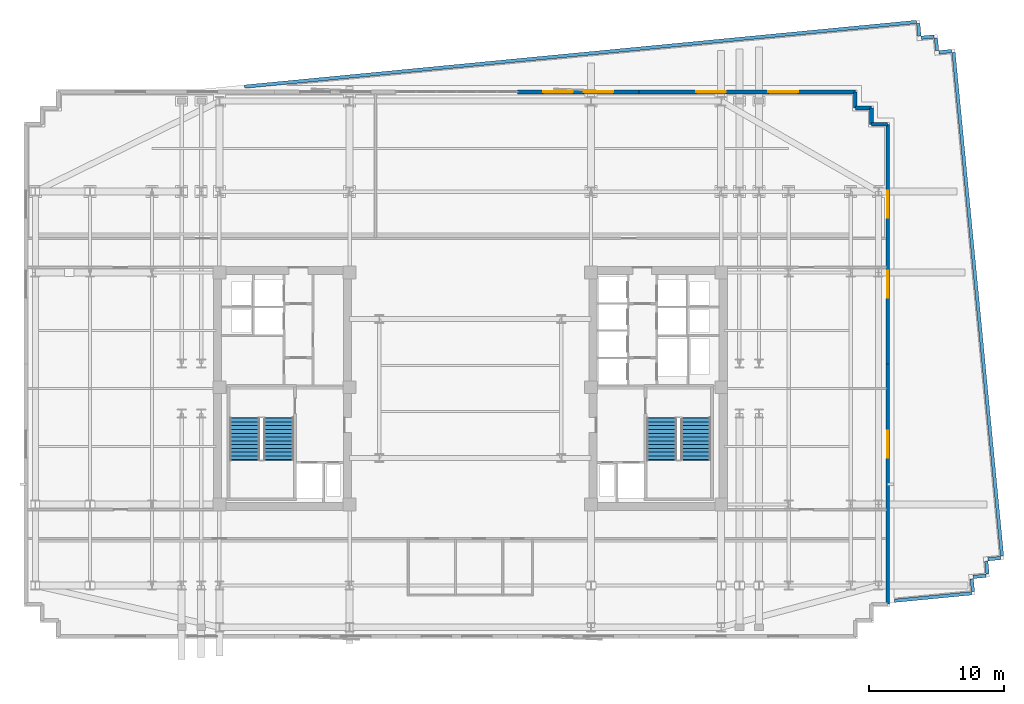
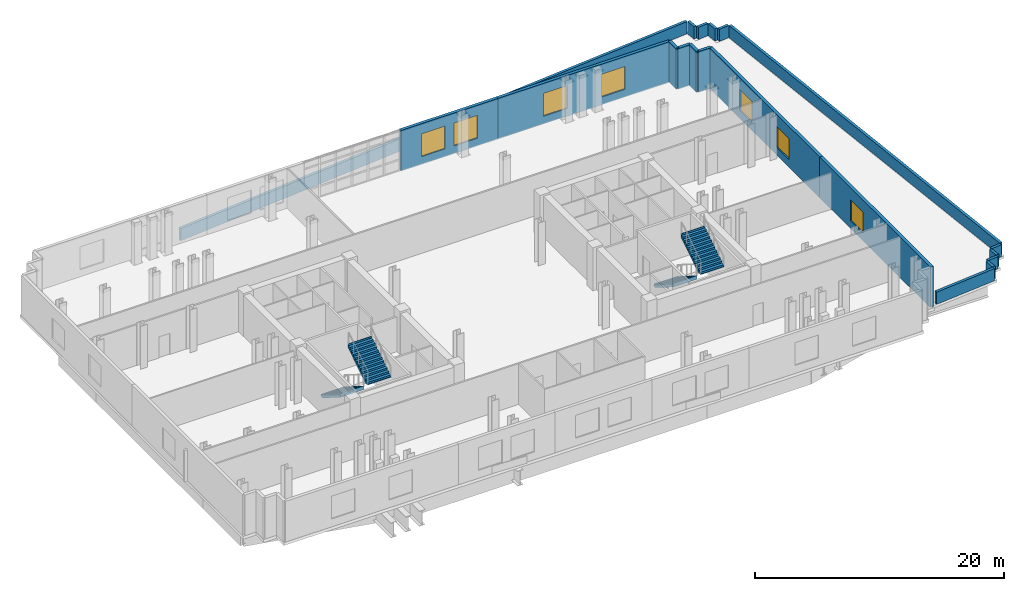
# One storey, part 9 of 14: 19 walls, 7 windows, 4 stair flights, 7 openings, 2 elements without a shape of their own.
"""IFC4 building model written with IfcOpenShell, lengths in metres."""

from ifc_helpers import new_model, si_unit, direction, frame, frame_2d, origin, place, context, subcontext, project, spatial, polyline, rectangle, outline, extrude, material, layer, layer_set, type_object, element, fill, aggregate, save


model = new_model("IFC4")

# Units and contexts
model_context = context("Model", 3, precision=1e-05, world=origin(), true_north=direction((0.0, 1.0)))
body_context = subcontext(model_context, "Body", "Model", "MODEL_VIEW")
ifc_project = project(units=[si_unit("LENGTHUNIT", "METRE"), si_unit("AREAUNIT", "SQUARE_METRE"), si_unit("VOLUMEUNIT", "CUBIC_METRE"), si_unit("PLANEANGLEUNIT", "RADIAN"), si_unit("MASSUNIT", "GRAM", prefix="KILO")], contexts=[model_context])

# Site, building, storey
site_placement = place(None, origin())
site = spatial("IfcSite", under=ifc_project, at=site_placement, CompositionType="ELEMENT")
building_placement = place(site_placement, origin())
building = spatial("IfcBuilding", under=site, at=building_placement, Name="Velakula Bourse", CompositionType="ELEMENT")
storey_placement = place(building_placement, frame((0.0, 0.0, 116.64990234375)))
storey = spatial("IfcBuildingStorey", under=building, at=storey_placement, Name="L31", CompositionType="ELEMENT", Elevation=116.64990234375)

# Wall, openings, windows
ifc_material_1 = material(Name="Red kilned clay facing brick masonry", Category="masonry")
ifc_layer_1 = layer(ifc_material_1, 0.280029296875, Name="Red kilned clay facing brick masonry", Category="masonry")
ifc_layer_set_1 = layer_set([ifc_layer_1], Name="Red kilned clay facing brick masonry")
wall_type_1 = type_object("IfcWallType", Name="WL-EXT-BRK-280", PredefinedType="STANDARD", material=ifc_layer_set_1)
wall_1_placement = place(storey_placement, frame((3.5, 21.989990234375, 0.0), z_axis=(0.0, 0.0, 1.0), x_axis=(1.0, 0.0, 0.0)))
wall_1 = element("IfcWall", 1, at=wall_1_placement, inside=storey, type_object=wall_type_1, Name="L31 N Brick Spandrel Wall B4", PredefinedType="STANDARD", context=body_context, shape_type="SweptSolid", body=[
    extrude(rectangle(XDim=9.0, YDim=0.280029296875, at=frame_2d((4.5, 0.0))), origin(), (0.0, 0.0, 1.0), 4.0),
])
opening_1_placement = place(wall_1_placement, frame((1.89990234375, 0.0, 0.760009765625)))
opening_1 = element("IfcOpeningElement", 2, at=opening_1_placement, cuts=wall_1, Name="Opening W-08", PredefinedType="OPENING", context=body_context, shape_type="SweptSolid", body=[
    extrude(rectangle(XDim=2.199951171875, YDim=2.25, at=frame_2d((1.10009765625, 1.125))), frame((0.0, 0.14990234375, 0.0), z_axis=(0.0, -1.0, 0.0), x_axis=(1.0, 0.0, 0.0)), (0.0, 0.0, 1.0), 0.300048828125),
])
opening_2_placement = place(wall_1_placement, frame((4.89990234375, 0.0, 0.760009765625)))
opening_2 = element("IfcOpeningElement", 3, at=opening_2_placement, cuts=wall_1, Name="Opening W-08", PredefinedType="OPENING", context=body_context, shape_type="SweptSolid", body=[
    extrude(rectangle(XDim=2.199951171875, YDim=2.25, at=frame_2d((1.10009765625, 1.125))), frame((0.0, 0.14990234375, 0.0), z_axis=(0.0, -1.0, 0.0), x_axis=(1.0, 0.0, 0.0)), (0.0, 0.0, 1.0), 0.300048828125),
])
ifc_material_2 = material(Name="Double-glazed solar-control Low-E glass", Category="glass")
window_type_1 = type_object("IfcWindowType", Name="WIN-SL-2200x2500", PartitioningType="DOUBLE_PANEL_VERTICAL", PredefinedType="WINDOW", material=ifc_material_2)
window_1_placement = place(opening_1_placement, origin())
window_1 = element("IfcWindow", 4, at=window_1_placement, inside=storey, type_object=window_type_1, Name="L31 Deep-Set Recessed Window 1", OverallHeight=2.25, OverallWidth=2.199951171875, PartitioningType="DOUBLE_PANEL_VERTICAL", PredefinedType="WINDOW", context=body_context, shape_type="SweptSolid", body=[
    extrude(rectangle(XDim=2.199951171875, YDim=2.25, at=frame_2d((1.10009765625, 1.125))), frame((0.0, 0.030029296875, 0.0), z_axis=(0.0, -1.0, 0.0), x_axis=(1.0, 0.0, 0.0)), (0.0, 0.0, 1.0), 0.06005859375),
])
fill(opening_1, window_1)
window_2_placement = place(opening_2_placement, origin())
window_2 = element("IfcWindow", 5, at=window_2_placement, inside=storey, type_object=window_type_1, Name="L31 Deep-Set Recessed Window 2", OverallHeight=2.25, OverallWidth=2.199951171875, PartitioningType="DOUBLE_PANEL_VERTICAL", PredefinedType="WINDOW", context=body_context, shape_type="SweptSolid", body=[
    extrude(rectangle(XDim=2.199951171875, YDim=2.25, at=frame_2d((1.10009765625, 1.125))), frame((0.0, 0.030029296875, 0.0), z_axis=(0.0, -1.0, 0.0), x_axis=(1.0, 0.0, 0.0)), (0.0, 0.0, 1.0), 0.06005859375),
])
fill(opening_2, window_2)

wall_2_placement = place(storey_placement, frame((12.5, 21.989990234375, 0.0), z_axis=(0.0, 0.0, 1.0), x_axis=(1.0, 0.0, 0.0)))
wall_2 = element("IfcWall", 6, at=wall_2_placement, inside=storey, type_object=wall_type_1, Name="L31 N Brick Spandrel Wall B5", PredefinedType="STANDARD", context=body_context, shape_type="SweptSolid", body=[
    extrude(rectangle(XDim=16.0400390625, YDim=0.280029296875, at=frame_2d((8.02001953125, 0.0))), origin(), (0.0, 0.0, 1.0), 4.0),
])
opening_3_placement = place(wall_2_placement, frame((4.24658203125, 0.0, 0.760009765625)))
opening_3 = element("IfcOpeningElement", 7, at=opening_3_placement, cuts=wall_2, Name="Opening W-08", PredefinedType="OPENING", context=body_context, shape_type="SweptSolid", body=[
    extrude(rectangle(XDim=2.199951171875, YDim=2.25, at=frame_2d((1.10009765625, 1.125))), frame((0.0, 0.14990234375, 0.0), z_axis=(0.0, -1.0, 0.0), x_axis=(1.0, 0.0, 0.0)), (0.0, 0.0, 1.0), 0.300048828125),
])
opening_4_placement = place(wall_2_placement, frame((9.59326171875, 0.0, 0.760009765625)))
opening_4 = element("IfcOpeningElement", 8, at=opening_4_placement, cuts=wall_2, Name="Opening W-08", PredefinedType="OPENING", context=body_context, shape_type="SweptSolid", body=[
    extrude(rectangle(XDim=2.199951171875, YDim=2.25, at=frame_2d((1.10009765625, 1.125))), frame((0.0, 0.14990234375, 0.0), z_axis=(0.0, -1.0, 0.0), x_axis=(1.0, 0.0, 0.0)), (0.0, 0.0, 1.0), 0.300048828125),
])
window_3_placement = place(opening_3_placement, origin())
window_3 = element("IfcWindow", 9, at=window_3_placement, inside=storey, type_object=window_type_1, Name="L31 Deep-Set Recessed Window 1", OverallHeight=2.25, OverallWidth=2.199951171875, PartitioningType="DOUBLE_PANEL_VERTICAL", PredefinedType="WINDOW", context=body_context, shape_type="SweptSolid", body=[
    extrude(rectangle(XDim=2.199951171875, YDim=2.25, at=frame_2d((1.10009765625, 1.125))), frame((0.0, 0.030029296875, 0.0), z_axis=(0.0, -1.0, 0.0), x_axis=(1.0, 0.0, 0.0)), (0.0, 0.0, 1.0), 0.06005859375),
])
fill(opening_3, window_3)
window_4_placement = place(opening_4_placement, origin())
window_4 = element("IfcWindow", 10, at=window_4_placement, inside=storey, type_object=window_type_1, Name="L31 Deep-Set Recessed Window 2", OverallHeight=2.25, OverallWidth=2.199951171875, PartitioningType="DOUBLE_PANEL_VERTICAL", PredefinedType="WINDOW", context=body_context, shape_type="SweptSolid", body=[
    extrude(rectangle(XDim=2.199951171875, YDim=2.25, at=frame_2d((1.10009765625, 1.125))), frame((0.0, 0.030029296875, 0.0), z_axis=(0.0, -1.0, 0.0), x_axis=(1.0, 0.0, 0.0)), (0.0, 0.0, 1.0), 0.06005859375),
])
fill(opening_4, window_4)

# Wall, opening, window
wall_3_placement = place(storey_placement, frame((30.93994140625, 1.800048828125, 0.0), z_axis=(0.0, 0.0, 1.0), x_axis=(0.0, -1.0, 0.0)))
wall_3 = element("IfcWall", 11, at=wall_3_placement, inside=storey, type_object=wall_type_1, Name="L31 E Brick End Wall W1", PredefinedType="STANDARD", context=body_context, shape_type="SweptSolid", body=[
    extrude(rectangle(XDim=17.7900390625, YDim=0.280029296875, at=frame_2d((8.89501953125, 0.0))), origin(), (0.0, 0.0, 1.0), 4.0),
])
opening_5_placement = place(wall_3_placement, frame((4.929931640625, 0.0, 0.760009765625)))
opening_5 = element("IfcOpeningElement", 12, at=opening_5_placement, cuts=wall_3, Name="Opening W-05", PredefinedType="OPENING", context=body_context, shape_type="SweptSolid", body=[
    extrude(rectangle(XDim=2.0, YDim=2.050048828125, at=frame_2d((1.0, 1.02490234375))), frame((0.0, 0.14990234375, 0.0), z_axis=(0.0, -1.0, 0.0), x_axis=(1.0, 0.0, 0.0)), (0.0, 0.0, 1.0), 0.300048828125),
])
window_type_2 = type_object("IfcWindowType", Name="WIN-TWR-2000x2200", PartitioningType="DOUBLE_PANEL_VERTICAL", PredefinedType="WINDOW", material=ifc_material_2)
window_5_placement = place(opening_5_placement, origin())
window_5 = element("IfcWindow", 13, at=window_5_placement, inside=storey, type_object=window_type_2, Name="L31 Deep-Set Recessed Window 1", OverallHeight=2.050048828125, OverallWidth=2.0, PartitioningType="DOUBLE_PANEL_VERTICAL", PredefinedType="WINDOW", context=body_context, shape_type="SweptSolid", body=[
    extrude(rectangle(XDim=2.0, YDim=2.050048828125, at=frame_2d((1.0, 1.02490234375))), frame((0.0, 0.030029296875, 0.0), z_axis=(0.0, -1.0, 0.0), x_axis=(1.0, 0.0, 0.0)), (0.0, 0.0, 1.0), 0.06005859375),
])
fill(opening_5, window_5)

# Wall, openings, windows
wall_4_placement = place(storey_placement, frame((30.93994140625, 19.590087890625, 0.0), z_axis=(0.0, 0.0, 1.0), x_axis=(0.0, -1.0, 0.0)))
wall_4 = element("IfcWall", 14, at=wall_4_placement, inside=storey, type_object=wall_type_1, Name="L31 E Brick End Wall W2", PredefinedType="STANDARD", context=body_context, shape_type="SweptSolid", body=[
    extrude(rectangle(XDim=17.7900390625, YDim=0.280029296875, at=frame_2d((8.89501953125, 0.0))), origin(), (0.0, 0.0, 1.0), 4.0),
])
opening_6_placement = place(wall_4_placement, frame((4.929931640625, 0.0, 0.760009765625)))
opening_6 = element("IfcOpeningElement", 15, at=opening_6_placement, cuts=wall_4, Name="Opening W-05", PredefinedType="OPENING", context=body_context, shape_type="SweptSolid", body=[
    extrude(rectangle(XDim=2.0, YDim=2.050048828125, at=frame_2d((1.0, 1.02490234375))), frame((0.0, 0.14990234375, 0.0), z_axis=(0.0, -1.0, 0.0), x_axis=(1.0, 0.0, 0.0)), (0.0, 0.0, 1.0), 0.300048828125),
])
opening_7_placement = place(wall_4_placement, frame((10.860107421875, 0.0, 0.760009765625)))
opening_7 = element("IfcOpeningElement", 16, at=opening_7_placement, cuts=wall_4, Name="Opening W-05", PredefinedType="OPENING", context=body_context, shape_type="SweptSolid", body=[
    extrude(rectangle(XDim=2.0, YDim=2.050048828125, at=frame_2d((1.0, 1.02490234375))), frame((0.0, 0.14990234375, 0.0), z_axis=(0.0, -1.0, 0.0), x_axis=(1.0, 0.0, 0.0)), (0.0, 0.0, 1.0), 0.300048828125),
])
window_6_placement = place(opening_6_placement, origin())
window_6 = element("IfcWindow", 17, at=window_6_placement, inside=storey, type_object=window_type_2, Name="L31 Deep-Set Recessed Window 1", OverallHeight=2.050048828125, OverallWidth=2.0, PartitioningType="DOUBLE_PANEL_VERTICAL", PredefinedType="WINDOW", context=body_context, shape_type="SweptSolid", body=[
    extrude(rectangle(XDim=2.0, YDim=2.050048828125, at=frame_2d((1.0, 1.02490234375))), frame((0.0, 0.030029296875, 0.0), z_axis=(0.0, -1.0, 0.0), x_axis=(1.0, 0.0, 0.0)), (0.0, 0.0, 1.0), 0.06005859375),
])
fill(opening_6, window_6)
window_7_placement = place(opening_7_placement, origin())
window_7 = element("IfcWindow", 18, at=window_7_placement, inside=storey, type_object=window_type_2, Name="L31 Deep-Set Recessed Window 2", OverallHeight=2.050048828125, OverallWidth=2.0, PartitioningType="DOUBLE_PANEL_VERTICAL", PredefinedType="WINDOW", context=body_context, shape_type="SweptSolid", body=[
    extrude(rectangle(XDim=2.0, YDim=2.050048828125, at=frame_2d((1.0, 1.02490234375))), frame((0.0, 0.030029296875, 0.0), z_axis=(0.0, -1.0, 0.0), x_axis=(1.0, 0.0, 0.0)), (0.0, 0.0, 1.0), 0.06005859375),
])
fill(opening_7, window_7)

# Walls
for number, where, z_axis, x_axis, name in (
    (19, (30.93994140625, 19.590087890625, 0.0), (0.0, 0.0, 1.0), (-1.0, 0.0, 0.0), "L31 Serrated Corner Brick Wall NE-1"),
    (20, (29.739990234375, 19.590087890625, 0.0), (0.0, 0.0, 1.0), (0.0, 1.0, 0.0), "L31 Serrated Corner Brick Wall NE-2"),
    (21, (29.739990234375, 20.7900390625, 0.0), (0.0, 0.0, 1.0), (-1.0, 0.0, 0.0), "L31 Serrated Corner Brick Wall NE-3"),
    (22, (28.5400390625, 20.7900390625, 0.0), (0.0, 0.0, 1.0), (0.0, 1.0, 0.0), "L31 Serrated Corner Brick Wall NE-4"),
):
    element("IfcWall", number, at=place(storey_placement, frame(where, z_axis=z_axis, x_axis=x_axis)), inside=storey, type_object=wall_type_1, Name=name, PredefinedType="STANDARD", context=body_context, shape_type="SweptSolid", body=[
        extrude(rectangle(XDim=1.199951171875, YDim=0.280029296875, at=frame_2d((0.60009765625, 0.0))), origin(), (0.0, 0.0, 1.0), 4.0),
    ])
ifc_material_3 = material(Name="Buff kilned clay facing brick masonry", Category="masonry")
ifc_layer_2 = layer(ifc_material_3, 0.25, Name="Buff kilned clay facing brick masonry", Category="masonry")
ifc_layer_set_2 = layer_set([ifc_layer_2], Name="Buff kilned clay facing brick masonry")
wall_type_2 = type_object("IfcWallType", Name="WL-PAR-ROOF-250", PredefinedType="PARAPET", material=ifc_layer_set_2)
wall_5_placement = place(storey_placement, frame((-16.72900390625, 22.382568359375, 0.0), z_axis=(0.0, 0.0, 1.0), x_axis=(0.995396386066, 0.09584380317, 0.0)))
element("IfcWall", 23, at=wall_5_placement, inside=storey, type_object=wall_type_2, Name="L31 Closed Roof Perimeter Parapet 1", PredefinedType="PARAPET", context=body_context, shape_type="SweptSolid", body=[
    extrude(rectangle(XDim=50.02587890625, YDim=0.25, at=frame_2d((25.012939453125, 0.0))), origin(), (0.0, 0.0, 1.0), 1.2001953125),
])
for number, where, z_axis, x_axis, name in (
    (24, (33.20849609375, 27.060302734375, 0.0), (0.0, 0.0, 1.0), (0.095826217381, -0.995398079194, 0.0), "L31 Closed Roof Perimeter Parapet 2"),
    (25, (33.4404296875, 26.007568359375, 0.0), (0.0, 0.0, 1.0), (0.995373275808, 0.096083514753, 0.0), "L31 Closed Roof Perimeter Parapet 3"),
):
    element("IfcWall", number, at=place(storey_placement, frame(where, z_axis=z_axis, x_axis=x_axis)), inside=storey, type_object=wall_type_2, Name=name, PredefinedType="PARAPET", context=body_context, shape_type="SweptSolid", body=[
        extrude(rectangle(XDim=0.940185546875, YDim=0.25, at=frame_2d((0.47021484375, 0.0))), origin(), (0.0, 0.0, 1.0), 1.2001953125),
    ])
for number, where, z_axis, x_axis, name in (
    (26, (34.517822265625, 25.980712890625, 0.0), (0.0, 0.0, 1.0), (0.095850994504, -0.995395693608, 0.0), "L31 Closed Roof Perimeter Parapet 4"),
    (27, (34.75, 24.92822265625, 0.0), (0.0, 0.0, 1.0), (0.995395693608, 0.095850994504, 0.0), "L31 Closed Roof Perimeter Parapet 5"),
):
    element("IfcWall", number, at=place(storey_placement, frame(where, z_axis=z_axis, x_axis=x_axis)), inside=storey, type_object=wall_type_2, Name=name, PredefinedType="PARAPET", context=body_context, shape_type="SweptSolid", body=[
        extrude(rectangle(XDim=0.93994140625, YDim=0.25, at=frame_2d((0.469970703125, 0.0))), origin(), (0.0, 0.0, 1.0), 1.2001953125),
    ])
wall_6_placement = place(storey_placement, frame((35.827392578125, 24.9013671875, 0.0), z_axis=(0.0, 0.0, 1.0), x_axis=(0.09584625924, -0.995396149575, 0.0)))
element("IfcWall", 28, at=wall_6_placement, inside=storey, type_object=wall_type_2, Name="L31 Closed Roof Perimeter Parapet 6", PredefinedType="PARAPET", context=body_context, shape_type="SweptSolid", body=[
    extrude(rectangle(XDim=37.5, YDim=0.25, at=frame_2d((18.75, 0.0))), origin(), (0.0, 0.0, 1.0), 1.2001953125),
])
for number, where, z_axis, x_axis, name in (
    (29, (39.3046875, -12.56787109375, 0.0), (0.0, 0.0, 1.0), (-0.995398079194, -0.095826217381, 0.0), "L31 Closed Roof Perimeter Parapet 7"),
    (30, (38.251953125, -12.7998046875, 0.0), (0.0, 0.0, 1.0), (0.095826217381, -0.995398079194, 0.0), "L31 Closed Roof Perimeter Parapet 8"),
):
    element("IfcWall", number, at=place(storey_placement, frame(where, z_axis=z_axis, x_axis=x_axis)), inside=storey, type_object=wall_type_2, Name=name, PredefinedType="PARAPET", context=body_context, shape_type="SweptSolid", body=[
        extrude(rectangle(XDim=0.940185546875, YDim=0.25, at=frame_2d((0.47021484375, 0.0))), origin(), (0.0, 0.0, 1.0), 1.2001953125),
    ])
for number, where, z_axis, x_axis, name in (
    (31, (38.22509765625, -13.877197265625, 0.0), (0.0, 0.0, 1.0), (-0.995370877454, -0.096108357165, 0.0), "L31 Closed Roof Perimeter Parapet 9"),
    (32, (37.172607421875, -14.109375, 0.0), (0.0, 0.0, 1.0), (0.095850994504, -0.995395693608, 0.0), "L31 Closed Roof Perimeter Parapet 10"),
):
    element("IfcWall", number, at=place(storey_placement, frame(where, z_axis=z_axis, x_axis=x_axis)), inside=storey, type_object=wall_type_2, Name=name, PredefinedType="PARAPET", context=body_context, shape_type="SweptSolid", body=[
        extrude(rectangle(XDim=0.93994140625, YDim=0.25, at=frame_2d((0.469970703125, 0.0))), origin(), (0.0, 0.0, 1.0), 1.2001953125),
    ])
wall_7_placement = place(storey_placement, frame((37.145751953125, -15.186767578125, 0.0), z_axis=(0.0, 0.0, 1.0), x_axis=(-0.995394635586, -0.095861981234, 0.0)))
element("IfcWall", 33, at=wall_7_placement, inside=storey, type_object=wall_type_2, Name="L31 Closed Roof Perimeter Parapet 11", PredefinedType="PARAPET", context=body_context, shape_type="SweptSolid", body=[
    extrude(rectangle(XDim=5.72265625, YDim=0.25, at=frame_2d((2.861328125, 0.0))), origin(), (0.0, 0.0, 1.0), 1.2001953125),
])

# Stair, stair flights
ifc_material_4 = material(Name="Concrete M45 (fck 45 MPa)", Category="concrete")
stair_type = type_object("IfcStairType", Name="STR-DOG-435", PredefinedType="HALF_TURN_STAIR", material=ifc_material_4)
stair_1_placement = place(storey_placement, origin())
stair_1 = element("IfcStair", 34, at=stair_1_placement, inside=storey, type_object=stair_type, Name="L31 West Core Exit Stair ST-W1", PredefinedType="HALF_TURN_STAIR")
ifc_layer_3 = layer(ifc_material_4, 0.199951171875, Name="Concrete M45 (fck 45 MPa)", Category="concrete")
ifc_layer_set_3 = layer_set([ifc_layer_3], Name="Concrete M45 (fck 45 MPa)")
stair_flight_type = type_object("IfcStairFlightType", Name="FLT-DOG-435", PredefinedType="STRAIGHT", material=ifc_layer_set_3)
stair_flight_1_placement = place(storey_placement, frame((-16.720947265625, -2.199951171875, 0.0), z_axis=(0.0, 0.0, 1.0), x_axis=(0.0, -1.0, 0.0)))
stair_flight_1 = element("IfcStairFlight", 35, at=stair_flight_1_placement, type_object=stair_flight_type, Name="ST-W1 flight 1", NumberOfRisers=12, NumberOfTreads=11, PredefinedType="STRAIGHT", RiserHeight=0.175, TreadLength=0.28, context=body_context, shape_type="SweptSolid", body=[
    extrude(outline(polyline([(-0.044921875, -0.0400390625), (-0.044921875, -0.036865234375), (-0.044921875, -0.033935546875), (-0.044921875, -0.03076171875), (-0.044921875, -0.027587890625), (-0.044921875, -0.024658203125), (-0.044921875, -0.021484375), (-0.044921875, -0.0185546875), (-0.044921875, -0.015380859375), (-0.044921875, -0.01220703125), (-0.044921875, -0.00927734375), (-0.044921875, -0.006103515625), (-0.044921875, -0.003173828125), (-0.044921875, 0.0), (0.0, 0.0), (0.0, 0.175048828125), (0.280029296875, 0.175048828125), (0.280029296875, 0.35009765625), (0.56005859375, 0.35009765625), (0.56005859375, 0.52490234375), (0.840087890625, 0.52490234375), (0.840087890625, 0.699951171875), (1.1201171875, 0.699951171875), (1.1201171875, 0.875), (1.39990234375, 0.875), (1.39990234375, 1.050048828125), (1.679931640625, 1.050048828125), (1.679931640625, 1.22509765625), (1.9599609375, 1.22509765625), (1.9599609375, 1.39990234375), (2.239990234375, 1.39990234375), (2.239990234375, 1.574951171875), (2.52001953125, 1.574951171875), (2.52001953125, 1.75), (2.800048828125, 1.75), (2.800048828125, 1.925048828125), (3.080078125, 1.925048828125), (3.080078125, 2.10009765625), (3.125, 2.10009765625), (3.125, 2.074951171875), (3.125, 2.0498046875), (3.125, 2.024658203125), (3.125, 1.99951171875), (3.125, 1.974365234375), (3.125, 1.94921875), (3.125, 1.924072265625), (3.125, 1.89892578125), (3.125, 1.873779296875), (3.125, 1.8486328125), (3.125, 1.823486328125), (3.125, 1.798583984375), (3.125, 1.7734375), (3.125, 1.748291015625), (0.28271484375, -0.0400390625), (-0.044921875, -0.0400390625)])), frame((0.0, 1.09912109375, 0.0), z_axis=(0.0, -1.0, 0.0), x_axis=(1.0, 0.0, 0.0)), (0.0, 0.0, 1.0), 2.197998046875),
])
stair_flight_2_placement = place(storey_placement, frame((-14.198974609375, -5.280029296875, 2.10009765625), z_axis=(0.0, 0.0, 1.0), x_axis=(0.0, 1.0, 0.0)))
stair_flight_2 = element("IfcStairFlight", 36, at=stair_flight_2_placement, type_object=stair_flight_type, Name="ST-W1 flight 2", NumberOfRisers=12, NumberOfTreads=11, PredefinedType="STRAIGHT", RiserHeight=0.175, TreadLength=0.28, context=body_context, shape_type="SweptSolid", body=[
    extrude(outline(polyline([(-0.044921875, -0.0400390625), (-0.044921875, -0.036865234375), (-0.044921875, -0.033935546875), (-0.044921875, -0.03076171875), (-0.044921875, -0.027587890625), (-0.044921875, -0.024658203125), (-0.044921875, -0.021484375), (-0.044921875, -0.0185546875), (-0.044921875, -0.015380859375), (-0.044921875, -0.01220703125), (-0.044921875, -0.00927734375), (-0.044921875, -0.006103515625), (-0.044921875, -0.003173828125), (-0.044921875, 0.0), (0.0, 0.0), (0.0, 0.175048828125), (0.280029296875, 0.175048828125), (0.280029296875, 0.35009765625), (0.56005859375, 0.35009765625), (0.56005859375, 0.52490234375), (0.840087890625, 0.52490234375), (0.840087890625, 0.699951171875), (1.1201171875, 0.699951171875), (1.1201171875, 0.875), (1.39990234375, 0.875), (1.39990234375, 1.050048828125), (1.679931640625, 1.050048828125), (1.679931640625, 1.22509765625), (1.9599609375, 1.22509765625), (1.9599609375, 1.39990234375), (2.239990234375, 1.39990234375), (2.239990234375, 1.574951171875), (2.52001953125, 1.574951171875), (2.52001953125, 1.75), (2.800048828125, 1.75), (2.800048828125, 1.925048828125), (3.080078125, 1.925048828125), (3.080078125, 2.10009765625), (3.125, 2.10009765625), (3.125, 2.074951171875), (3.125, 2.0498046875), (3.125, 2.024658203125), (3.125, 1.99951171875), (3.125, 1.974365234375), (3.125, 1.94921875), (3.125, 1.924072265625), (3.125, 1.89892578125), (3.125, 1.873779296875), (3.125, 1.8486328125), (3.125, 1.823486328125), (3.125, 1.798583984375), (3.125, 1.7734375), (3.125, 1.748291015625), (0.28271484375, -0.0400390625), (-0.044921875, -0.0400390625)])), frame((0.0, 1.09912109375, 0.0), z_axis=(0.0, -1.0, 0.0), x_axis=(1.0, 0.0, 0.0)), (0.0, 0.0, 1.0), 2.197998046875),
])
aggregate(stair_1, [stair_flight_1, stair_flight_2])

stair_2_placement = place(storey_placement, origin())
stair_2 = element("IfcStair", 37, at=stair_2_placement, inside=storey, type_object=stair_type, Name="L31 East Core Exit Stair ST-E1", PredefinedType="HALF_TURN_STAIR")
stair_flight_3_placement = place(storey_placement, frame((14.198974609375, -2.199951171875, 0.0), z_axis=(0.0, 0.0, 1.0), x_axis=(0.0, -1.0, 0.0)))
stair_flight_3 = element("IfcStairFlight", 38, at=stair_flight_3_placement, type_object=stair_flight_type, Name="ST-E1 flight 1", NumberOfRisers=12, NumberOfTreads=11, PredefinedType="STRAIGHT", RiserHeight=0.175, TreadLength=0.28, context=body_context, shape_type="SweptSolid", body=[
    extrude(outline(polyline([(-0.044921875, -0.0400390625), (-0.044921875, -0.036865234375), (-0.044921875, -0.033935546875), (-0.044921875, -0.03076171875), (-0.044921875, -0.027587890625), (-0.044921875, -0.024658203125), (-0.044921875, -0.021484375), (-0.044921875, -0.0185546875), (-0.044921875, -0.015380859375), (-0.044921875, -0.01220703125), (-0.044921875, -0.00927734375), (-0.044921875, -0.006103515625), (-0.044921875, -0.003173828125), (-0.044921875, 0.0), (0.0, 0.0), (0.0, 0.175048828125), (0.280029296875, 0.175048828125), (0.280029296875, 0.35009765625), (0.56005859375, 0.35009765625), (0.56005859375, 0.52490234375), (0.840087890625, 0.52490234375), (0.840087890625, 0.699951171875), (1.1201171875, 0.699951171875), (1.1201171875, 0.875), (1.39990234375, 0.875), (1.39990234375, 1.050048828125), (1.679931640625, 1.050048828125), (1.679931640625, 1.22509765625), (1.9599609375, 1.22509765625), (1.9599609375, 1.39990234375), (2.239990234375, 1.39990234375), (2.239990234375, 1.574951171875), (2.52001953125, 1.574951171875), (2.52001953125, 1.75), (2.800048828125, 1.75), (2.800048828125, 1.925048828125), (3.080078125, 1.925048828125), (3.080078125, 2.10009765625), (3.125, 2.10009765625), (3.125, 2.074951171875), (3.125, 2.0498046875), (3.125, 2.024658203125), (3.125, 1.99951171875), (3.125, 1.974365234375), (3.125, 1.94921875), (3.125, 1.924072265625), (3.125, 1.89892578125), (3.125, 1.873779296875), (3.125, 1.8486328125), (3.125, 1.823486328125), (3.125, 1.798583984375), (3.125, 1.7734375), (3.125, 1.748291015625), (0.28271484375, -0.0400390625), (-0.044921875, -0.0400390625)])), frame((0.0, 1.09912109375, 0.0), z_axis=(0.0, -1.0, 0.0), x_axis=(1.0, 0.0, 0.0)), (0.0, 0.0, 1.0), 2.197998046875),
])
stair_flight_4_placement = place(storey_placement, frame((16.720947265625, -5.280029296875, 2.10009765625), z_axis=(0.0, 0.0, 1.0), x_axis=(0.0, 1.0, 0.0)))
stair_flight_4 = element("IfcStairFlight", 39, at=stair_flight_4_placement, type_object=stair_flight_type, Name="ST-E1 flight 2", NumberOfRisers=12, NumberOfTreads=11, PredefinedType="STRAIGHT", RiserHeight=0.175, TreadLength=0.28, context=body_context, shape_type="SweptSolid", body=[
    extrude(outline(polyline([(-0.044921875, -0.0400390625), (-0.044921875, -0.036865234375), (-0.044921875, -0.033935546875), (-0.044921875, -0.03076171875), (-0.044921875, -0.027587890625), (-0.044921875, -0.024658203125), (-0.044921875, -0.021484375), (-0.044921875, -0.0185546875), (-0.044921875, -0.015380859375), (-0.044921875, -0.01220703125), (-0.044921875, -0.00927734375), (-0.044921875, -0.006103515625), (-0.044921875, -0.003173828125), (-0.044921875, 0.0), (0.0, 0.0), (0.0, 0.175048828125), (0.280029296875, 0.175048828125), (0.280029296875, 0.35009765625), (0.56005859375, 0.35009765625), (0.56005859375, 0.52490234375), (0.840087890625, 0.52490234375), (0.840087890625, 0.699951171875), (1.1201171875, 0.699951171875), (1.1201171875, 0.875), (1.39990234375, 0.875), (1.39990234375, 1.050048828125), (1.679931640625, 1.050048828125), (1.679931640625, 1.22509765625), (1.9599609375, 1.22509765625), (1.9599609375, 1.39990234375), (2.239990234375, 1.39990234375), (2.239990234375, 1.574951171875), (2.52001953125, 1.574951171875), (2.52001953125, 1.75), (2.800048828125, 1.75), (2.800048828125, 1.925048828125), (3.080078125, 1.925048828125), (3.080078125, 2.10009765625), (3.125, 2.10009765625), (3.125, 2.074951171875), (3.125, 2.0498046875), (3.125, 2.024658203125), (3.125, 1.99951171875), (3.125, 1.974365234375), (3.125, 1.94921875), (3.125, 1.924072265625), (3.125, 1.89892578125), (3.125, 1.873779296875), (3.125, 1.8486328125), (3.125, 1.823486328125), (3.125, 1.798583984375), (3.125, 1.7734375), (3.125, 1.748291015625), (0.28271484375, -0.0400390625), (-0.044921875, -0.0400390625)])), frame((0.0, 1.09912109375, 0.0), z_axis=(0.0, -1.0, 0.0), x_axis=(1.0, 0.0, 0.0)), (0.0, 0.0, 1.0), 2.197998046875),
])
aggregate(stair_2, [stair_flight_3, stair_flight_4])

save(model, "model.ifc")
